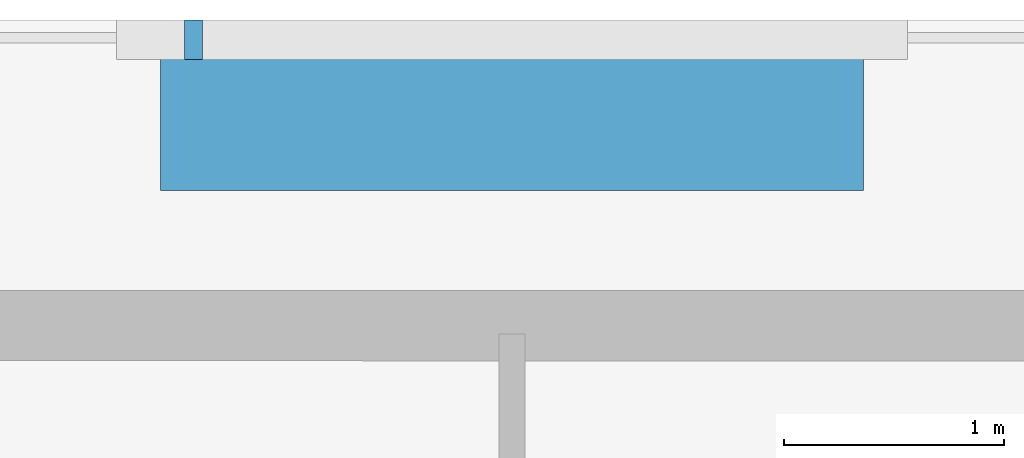
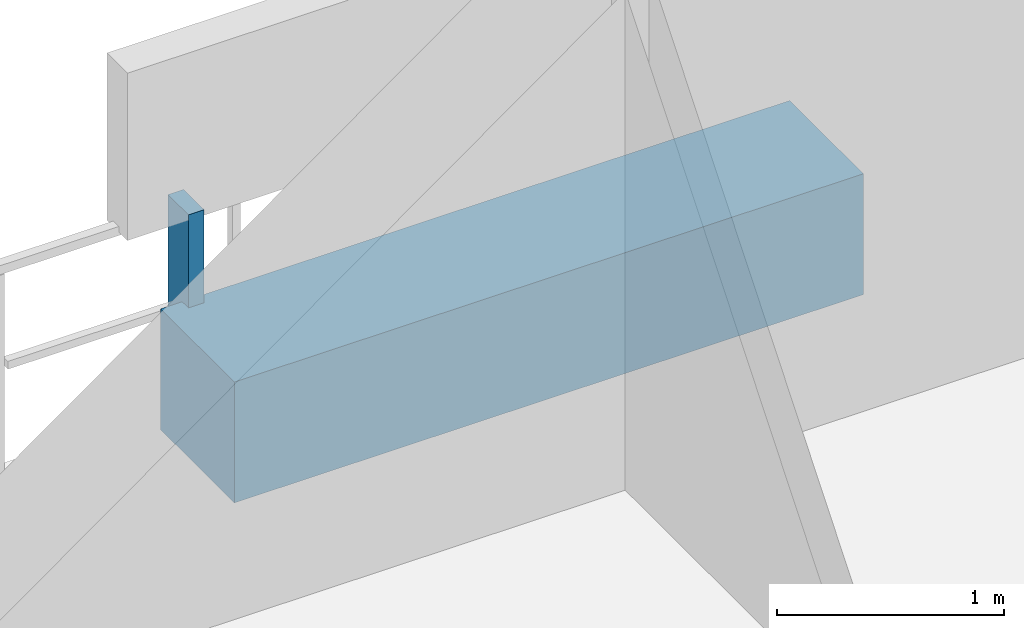
# One storey, part 25 of 29: 2 discrete accessories.
"""IFC4 building model written with IfcOpenShell, lengths in metres."""

from ifc_helpers import new_model, si_unit, direction, frame, origin, origin_2d, place, context, subcontext, project, spatial, rectangle, extrude, material, type_object, element, save


model = new_model("IFC4")

# Units and contexts
model_context = context("Model", 3, precision=1e-05, world=origin(), true_north=direction((0.0, 1.0)))
body_context = subcontext(model_context, "Body", "Model", "MODEL_VIEW")
ifc_project = project(units=[si_unit("LENGTHUNIT", "METRE"), si_unit("AREAUNIT", "SQUARE_METRE"), si_unit("VOLUMEUNIT", "CUBIC_METRE"), si_unit("PLANEANGLEUNIT", "RADIAN"), si_unit("MASSUNIT", "GRAM", prefix="KILO")], contexts=[model_context])

# Site, building, storey
site_placement = place(None, origin())
site = spatial("IfcSite", under=ifc_project, at=site_placement, CompositionType="ELEMENT")
building_placement = place(site_placement, origin())
building = spatial("IfcBuilding", under=site, at=building_placement, Name="Thornwick Lancets Civic Towers", CompositionType="ELEMENT")
storey_placement = place(building_placement, frame((0.0, 0.0, 83.699951171875)))
storey = spatial("IfcBuildingStorey", under=building, at=storey_placement, Name="L21", CompositionType="ELEMENT", Elevation=83.699951171875)

# Discrete accessories
ifc_material_1 = material(Name="Planted terracotta greenery planter", Category="masonry")
discrete_accessory_type_1 = type_object("IfcDiscreteAccessoryType", Name="ACC_PLANTER_BOX", PredefinedType="USERDEFINED", material=ifc_material_1)
discrete_accessory_1_placement = place(storey_placement, frame((88.5, 51.89990234375, 0.0), z_axis=(0.0, 0.0, 1.0), x_axis=(1.0, 0.0, 0.0)))
element("IfcDiscreteAccessory", 1, at=discrete_accessory_1_placement, inside=storey, type_object=discrete_accessory_type_1, Name="L21 Tower B Balcony Greenery Planter N", ObjectType="PLANTER", PredefinedType="USERDEFINED", context=body_context, shape_type="SweptSolid", body=[
    extrude(rectangle(XDim=3.199951171875, YDim=0.64990234375, at=origin_2d()), origin(), (0.0, 0.0, 1.0), 0.64990234375),
])
ifc_material_2 = material(Name="Stainless steel S355", Category="steel")
discrete_accessory_type_2 = type_object("IfcDiscreteAccessoryType", Name="ACC_SCREEN_BRACKET", PredefinedType="BRACKET", material=ifc_material_2)
discrete_accessory_2_placement = place(storey_placement, frame((87.050048828125, 52.260009765625, 0.0), z_axis=(0.0, 0.0, 1.0), x_axis=(1.0, 0.0, 0.0)))
element("IfcDiscreteAccessory", 2, at=discrete_accessory_2_placement, inside=storey, type_object=discrete_accessory_type_2, Name="L21 Tower B Balcony Screen Stanchion Bracket N-1", PredefinedType="BRACKET", context=body_context, shape_type="SweptSolid", body=[
    extrude(rectangle(XDim=0.080078125, YDim=0.179931640625, at=origin_2d()), origin(), (0.0, 0.0, 1.0), 1.14990234375),
])

save(model, "model.ifc")
